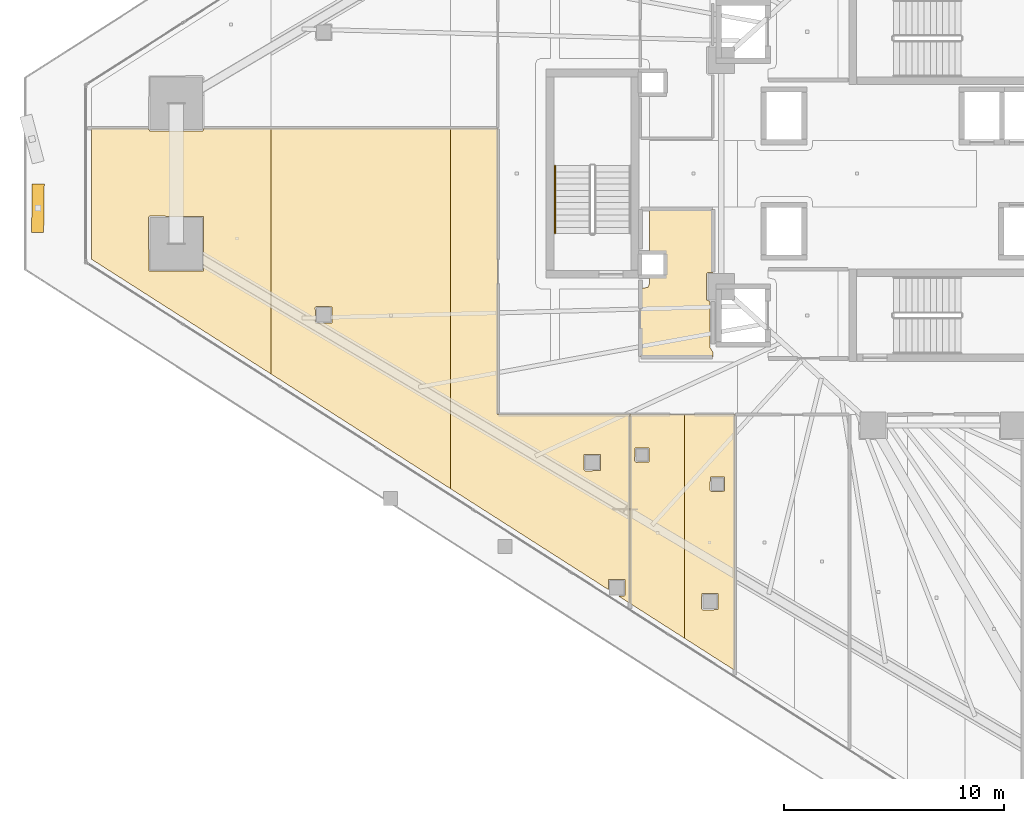
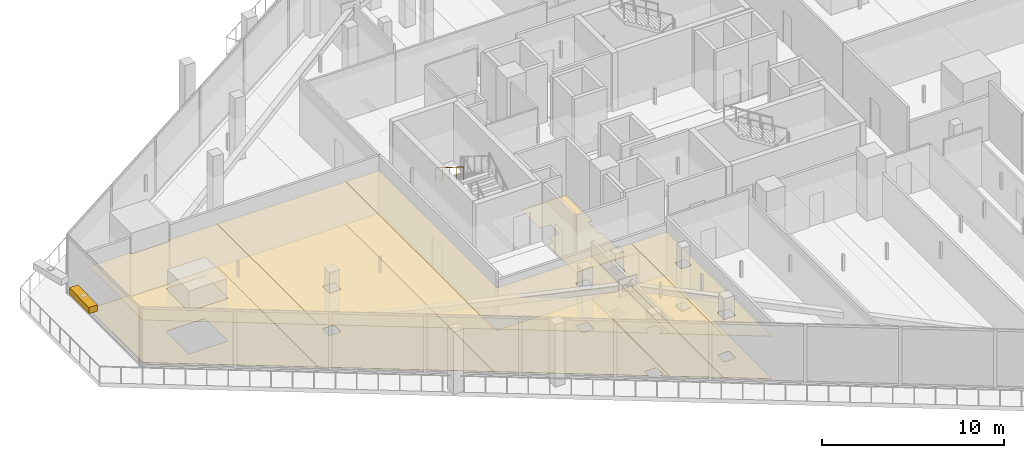
# One storey, part 39 of 47: 11 coverings, 1 railing, 1 shading device.
"""IFC4 building model written with IfcOpenShell, lengths in metres."""

from ifc_helpers import new_model, si_unit, direction, frame, origin, origin_2d, place, context, subcontext, project, spatial, polyline, rectangle, circle, outline, extrude, material, layer, layer_set, type_object, element, save


model = new_model("IFC4")

# Units and contexts
model_context = context("Model", 3, precision=1e-05, world=origin(), true_north=direction((0.0, 1.0)))
body_context = subcontext(model_context, "Body", "Model", "MODEL_VIEW")
ifc_project = project(units=[si_unit("LENGTHUNIT", "METRE"), si_unit("AREAUNIT", "SQUARE_METRE"), si_unit("VOLUMEUNIT", "CUBIC_METRE"), si_unit("PLANEANGLEUNIT", "RADIAN"), si_unit("MASSUNIT", "GRAM", prefix="KILO")], contexts=[model_context])

# Site, building, storey
site_placement = place(None, origin())
site = spatial("IfcSite", under=ifc_project, at=site_placement, CompositionType="ELEMENT")
building_placement = place(site_placement, origin())
building = spatial("IfcBuilding", under=site, at=building_placement, Name="Qorvath Tower", CompositionType="ELEMENT")
storey_placement = place(building_placement, frame((0.0, 0.0, 74.39990234375)))
storey = spatial("IfcBuildingStorey", under=building, at=storey_placement, Name="L16", CompositionType="ELEMENT", Elevation=74.39990234375)

# Coverings
ifc_material_1 = material(Name="Acoustic mineral fibre ceiling tile", Category="gypsum")
ifc_layer_1 = layer(ifc_material_1, 0.030029296875)
ifc_layer_set_1 = layer_set([ifc_layer_1], Name="COV-CEIL")
covering_type_1 = type_object("IfcCoveringType", Name="COV-CEIL", PredefinedType="CEILING", material=ifc_layer_set_1)
covering_1_placement = place(storey_placement, frame((0.0, 0.0, 2.85009765625)))
element("IfcCovering", 1, at=covering_1_placement, inside=storey, type_object=covering_type_1, Name="L16 Suspended Acoustic Ceiling 014", PredefinedType="CEILING", context=body_context, shape_type="SweptSolid", body=[
    extrude(outline(polyline([(-34.64501953125, -10.962890625), (-34.64501953125, -19.546875), (-32.163818359375, -21.132568359375), (-32.163818359375, -10.962890625), (-34.64501953125, -10.962890625)]), holes=[polyline([(-34.439208984375, -13.0673828125), (-34.421630859375, -12.47509765625), (-33.786865234375, -12.47509765625), (-33.786865234375, -13.10986328125), (-34.379150390625, -13.12744140625), (-34.439208984375, -13.0673828125)])]), origin(), (0.0, 0.0, 1.0), 0.030029296875),
])
covering_2_placement = place(storey_placement, frame((0.0, 0.0, 2.85009765625)))
element("IfcCovering", 2, at=covering_2_placement, inside=storey, type_object=covering_type_1, Name="L16 Suspended Acoustic Ceiling 015", PredefinedType="CEILING", context=body_context, shape_type="SweptSolid", body=[
    extrude(outline(polyline([(-32.163818359375, -10.962890625), (-32.163818359375, -21.132568359375), (-29.9013671875, -22.57861328125), (-29.9013671875, -10.962890625), (-32.163818359375, -10.962890625)]), holes=[polyline([(-31.01220703125, -14.3994140625), (-30.99462890625, -13.806884765625), (-30.35986328125, -13.806884765625), (-30.35986328125, -14.441650390625), (-30.9521484375, -14.459228515625), (-31.01220703125, -14.3994140625)]), polyline([(-31.401123046875, -19.785400390625), (-31.383544921875, -19.093017578125), (-30.648681640625, -19.093017578125), (-30.648681640625, -19.827880859375), (-31.341064453125, -19.845458984375), (-31.401123046875, -19.785400390625)])]), origin(), (0.0, 0.0, 1.0), 0.030029296875),
])
covering_3_placement = place(storey_placement, frame((0.0, 0.0, 2.85009765625)))
element("IfcCovering", 3, at=covering_3_placement, inside=storey, type_object=covering_type_1, Name="L16 Suspended Acoustic Ceiling 035", PredefinedType="CEILING", context=body_context, shape_type="SweptSolid", body=[
    extrude(outline(polyline([(-59.140625, 2.056884765625), (-59.140625, -3.890869140625), (-50.9814453125, -9.105712890625), (-50.9814453125, 2.056884765625), (-54.02294921875, 2.056884765625), (-54.0830078125, 1.9345703125), (-56.48291015625, 1.9345703125), (-56.54296875, 2.056884765625), (-59.140625, 2.056884765625)]), holes=[polyline([(-56.54296875, -1.994384765625), (-56.48291015625, -1.9345703125), (-54.04052734375, -1.9521484375), (-54.04052734375, -4.43701171875), (-56.525390625, -4.43701171875), (-56.54296875, -1.994384765625)])]), origin(), (0.0, 0.0, 1.0), 0.030029296875),
])
covering_4_placement = place(storey_placement, frame((0.0, 0.0, 2.85009765625)))
element("IfcCovering", 4, at=covering_4_placement, inside=storey, type_object=covering_type_1, Name="L16 Suspended Acoustic Ceiling 036", PredefinedType="CEILING", context=body_context, shape_type="SweptSolid", body=[
    extrude(outline(polyline([(-50.9814453125, 2.056884765625), (-50.9814453125, -9.105712890625), (-42.822265625, -14.320556640625), (-42.822265625, 2.056884765625), (-50.9814453125, 2.056884765625)]), holes=[polyline([(-48.96337890625, -6.099609375), (-48.9033203125, -6.03955078125), (-48.2109375, -6.05712890625), (-48.2109375, -6.7919921875), (-48.94580078125, -6.7919921875), (-48.96337890625, -6.099609375)])]), origin(), (0.0, 0.0, 1.0), 0.030029296875),
])
covering_5_placement = place(storey_placement, frame((0.0, 0.0, 2.85009765625)))
element("IfcCovering", 5, at=covering_5_placement, inside=storey, type_object=covering_type_1, Name="L16 Suspended Acoustic Ceiling 037", PredefinedType="CEILING", context=body_context, shape_type="SweptSolid", body=[
    extrude(outline(polyline([(-42.822265625, 2.056884765625), (-42.822265625, -14.320556640625), (-35.63671875, -18.9130859375), (-35.619140625, -18.4619140625), (-34.88427734375, -18.4619140625), (-34.86669921875, -19.154296875), (-34.9267578125, -19.21435546875), (-35.165283203125, -19.21435546875), (-34.6630859375, -19.535400390625), (-34.6630859375, -10.962890625), (-40.6630859375, -10.9580078125), (-40.6630859375, 2.056884765625), (-42.822265625, 2.056884765625)]), holes=[polyline([(-36.749755859375, -13.46044921875), (-36.732177734375, -12.76806640625), (-35.997314453125, -12.76806640625), (-35.997314453125, -13.5029296875), (-36.689697265625, -13.5205078125), (-36.749755859375, -13.46044921875)])]), origin(), (0.0, 0.0, 1.0), 0.030029296875),
])
ifc_material_2 = material(Name="Low-VOC modular carpet tile", Category="textile")
ifc_layer_2 = layer(ifc_material_2, 0.014892578125)
ifc_layer_set_2 = layer_set([ifc_layer_2], Name="COV-FLOOR-CPT")
covering_type_2 = type_object("IfcCoveringType", Name="COV-FLOOR-CPT", PredefinedType="FLOORING", material=ifc_layer_set_2)
covering_6_placement = place(storey_placement, origin())
element("IfcCovering", 6, at=covering_6_placement, inside=storey, type_object=covering_type_2, Name="L16 Floor Finish 004", PredefinedType="FLOORING", context=body_context, shape_type="SweptSolid", body=[
    extrude(outline(polyline([(-30.885009765625, -1.60498046875), (-33.760009765625, -1.60498046875), (-33.760009765625, -3.636962890625), (-33.08837890625, -3.638427734375), (-33.0869140625, -4.6279296875), (-33.760009765625, -4.633056640625), (-33.760009765625, -4.989990234375), (-33.833251953125, -5.166748046875), (-34.175048828125, -5.239990234375), (-34.175048828125, -8.344970703125), (-30.885009765625, -8.344970703125), (-30.885009765625, -8.108154296875), (-31.010009765625, -7.909912109375), (-31.010009765625, -5.81005859375), (-31.159912109375, -5.75), (-31.159912109375, -4.550048828125), (-31.10009765625, -4.489990234375), (-30.885009765625, -4.489990234375), (-30.885009765625, -1.60498046875)])), origin(), (0.0, 0.0, 1.0), 0.01513671875),
])
covering_7_placement = place(storey_placement, origin())
element("IfcCovering", 7, at=covering_7_placement, inside=storey, type_object=covering_type_2, Name="L16 Floor Finish 014", PredefinedType="FLOORING", context=body_context, shape_type="SweptSolid", body=[
    extrude(outline(polyline([(-34.64501953125, -10.962890625), (-34.64501953125, -19.546875), (-32.163818359375, -21.132568359375), (-32.163818359375, -10.962890625), (-34.64501953125, -10.962890625)]), holes=[polyline([(-34.439208984375, -13.0673828125), (-34.421630859375, -12.47509765625), (-33.786865234375, -12.47509765625), (-33.786865234375, -13.10986328125), (-34.379150390625, -13.12744140625), (-34.439208984375, -13.0673828125)])]), origin(), (0.0, 0.0, 1.0), 0.01513671875),
])
covering_8_placement = place(storey_placement, origin())
element("IfcCovering", 8, at=covering_8_placement, inside=storey, type_object=covering_type_2, Name="L16 Floor Finish 015", PredefinedType="FLOORING", context=body_context, shape_type="SweptSolid", body=[
    extrude(outline(polyline([(-32.163818359375, -10.962890625), (-32.163818359375, -21.132568359375), (-29.9013671875, -22.57861328125), (-29.9013671875, -10.962890625), (-32.163818359375, -10.962890625)]), holes=[polyline([(-31.01220703125, -14.3994140625), (-30.99462890625, -13.806884765625), (-30.35986328125, -13.806884765625), (-30.35986328125, -14.441650390625), (-30.9521484375, -14.459228515625), (-31.01220703125, -14.3994140625)]), polyline([(-31.401123046875, -19.785400390625), (-31.383544921875, -19.093017578125), (-30.648681640625, -19.093017578125), (-30.648681640625, -19.827880859375), (-31.341064453125, -19.845458984375), (-31.401123046875, -19.785400390625)])]), origin(), (0.0, 0.0, 1.0), 0.01513671875),
])
covering_9_placement = place(storey_placement, origin())
element("IfcCovering", 9, at=covering_9_placement, inside=storey, type_object=covering_type_2, Name="L16 Floor Finish 035", PredefinedType="FLOORING", context=body_context, shape_type="SweptSolid", body=[
    extrude(outline(polyline([(-59.140625, 2.056884765625), (-59.140625, -3.890869140625), (-50.9814453125, -9.105712890625), (-50.9814453125, 2.056884765625), (-54.02294921875, 2.056884765625), (-54.0830078125, 1.9345703125), (-56.48291015625, 1.9345703125), (-56.54296875, 2.056884765625), (-59.140625, 2.056884765625)]), holes=[polyline([(-56.54296875, -1.994384765625), (-56.48291015625, -1.9345703125), (-54.04052734375, -1.9521484375), (-54.04052734375, -4.43701171875), (-56.525390625, -4.43701171875), (-56.54296875, -1.994384765625)])]), origin(), (0.0, 0.0, 1.0), 0.01513671875),
])
covering_10_placement = place(storey_placement, origin())
element("IfcCovering", 10, at=covering_10_placement, inside=storey, type_object=covering_type_2, Name="L16 Floor Finish 036", PredefinedType="FLOORING", context=body_context, shape_type="SweptSolid", body=[
    extrude(outline(polyline([(-50.9814453125, 2.056884765625), (-50.9814453125, -9.105712890625), (-42.822265625, -14.320556640625), (-42.822265625, 2.056884765625), (-50.9814453125, 2.056884765625)]), holes=[polyline([(-48.96337890625, -6.099609375), (-48.9033203125, -6.03955078125), (-48.2109375, -6.05712890625), (-48.2109375, -6.7919921875), (-48.94580078125, -6.7919921875), (-48.96337890625, -6.099609375)])]), origin(), (0.0, 0.0, 1.0), 0.01513671875),
])
covering_11_placement = place(storey_placement, origin())
element("IfcCovering", 11, at=covering_11_placement, inside=storey, type_object=covering_type_2, Name="L16 Floor Finish 037", PredefinedType="FLOORING", context=body_context, shape_type="SweptSolid", body=[
    extrude(outline(polyline([(-42.822265625, 2.056884765625), (-42.822265625, -14.320556640625), (-35.63671875, -18.9130859375), (-35.619140625, -18.4619140625), (-34.88427734375, -18.4619140625), (-34.86669921875, -19.154296875), (-34.9267578125, -19.21435546875), (-35.165283203125, -19.21435546875), (-34.6630859375, -19.535400390625), (-34.6630859375, -10.962890625), (-40.6630859375, -10.9580078125), (-40.6630859375, 2.056884765625), (-42.822265625, 2.056884765625)]), holes=[polyline([(-36.749755859375, -13.46044921875), (-36.732177734375, -12.76806640625), (-35.997314453125, -12.76806640625), (-35.997314453125, -13.5029296875), (-36.689697265625, -13.5205078125), (-36.749755859375, -13.46044921875)])]), origin(), (0.0, 0.0, 1.0), 0.01513671875),
])

# Railing
ifc_material_3 = material(Name="Brushed stainless steel AISI 304", Category="steel")
railing_type = type_object("IfcRailingType", Name="RL-STR-HND", PredefinedType="HANDRAIL", material=ifc_material_3)
railing_placement = place(storey_placement, frame((-38.06005859375, 0.360107421875, 2.275146484375)))
element("IfcRailing", 12, at=railing_placement, inside=storey, type_object=railing_type, Name="L16 TS3 stair handrail 2", PredefinedType="HANDRAIL", context=body_context, shape_type="SweptSolid", body=[
    extrude(circle(Radius=0.02392578125, at=origin_2d()), frame((0.0, 0.0, 0.8759765625), z_axis=(0.0, -0.847998304005, 0.529998940003), x_axis=(1.0, 0.0, 0.0)), (0.0, 0.0, 1.0), 3.632080078125),
    extrude(circle(Radius=0.02099609375, at=origin_2d()), origin(), (0.0, 0.0, 1.0), 0.851806640625),
    extrude(circle(Radius=0.02099609375, at=origin_2d()), frame((0.0, -0.77001953125, 0.481201171875)), (0.0, 0.0, 1.0), 0.851806640625),
    extrude(circle(Radius=0.02099609375, at=origin_2d()), frame((0.0, -1.5400390625, 0.96240234375)), (0.0, 0.0, 1.0), 0.851806640625),
    extrude(circle(Radius=0.02099609375, at=origin_2d()), frame((0.0, -2.31005859375, 1.44384765625)), (0.0, 0.0, 1.0), 0.851806640625),
    extrude(circle(Radius=0.02099609375, at=origin_2d()), frame((0.0, -3.080078125, 1.925048828125)), (0.0, 0.0, 1.0), 0.851806640625),
])

# Shading device
ifc_material_4 = material(Name="Anodised bronze-champagne aluminium", Category="aluminium")
shading_device_type = type_object("IfcShadingDeviceType", Name="SD-LOUVRE", PredefinedType="JALOUSIE", material=ifc_material_4)
shading_device_placement = place(storey_placement, frame((-61.572021484375, -1.571044921875, 3.500244140625), z_axis=(0.0, 0.0, 1.0), x_axis=(-0.012646318649, -0.999920032115, 0.0)))
element("IfcShadingDevice", 13, at=shading_device_placement, inside=storey, type_object=shading_device_type, Name="Sinusoidal Wave Louvre Blade L16-02", PredefinedType="NOTDEFINED", context=body_context, shape_type="SweptSolid", body=[
    extrude(rectangle(XDim=2.199951171875, YDim=0.550048828125, at=origin_2d()), origin(), (0.0, 0.0, 1.0), 0.419921875),
])

save(model, "model.ifc")
